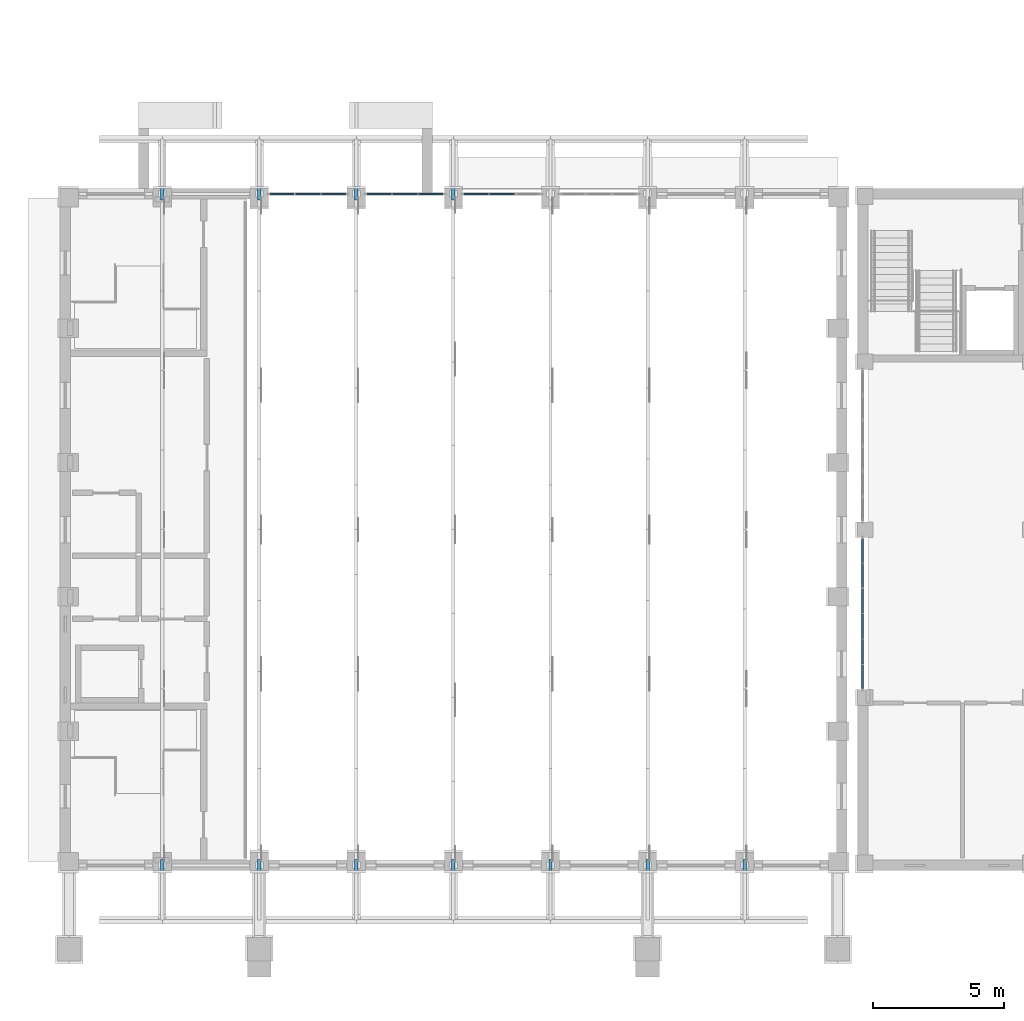
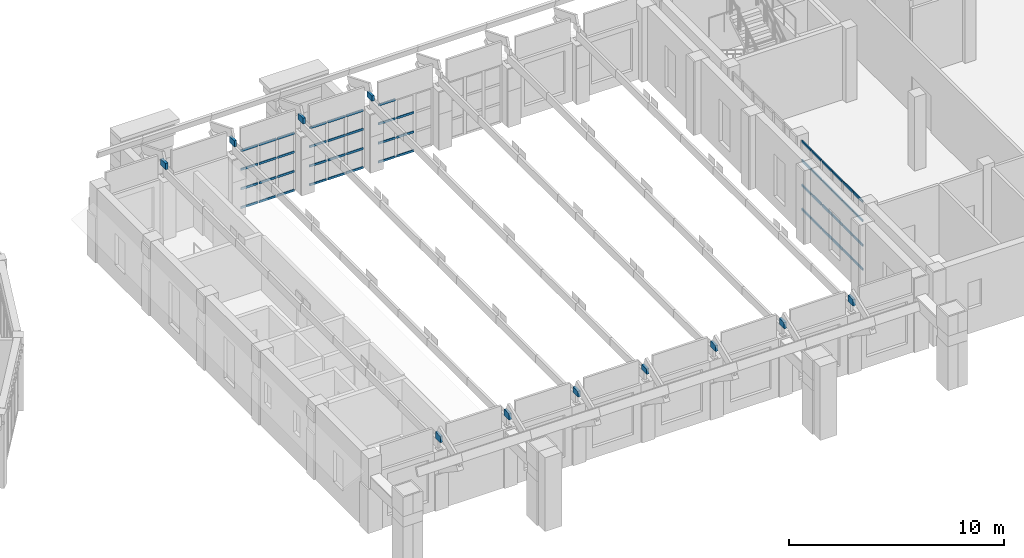
# One storey, part 33 of 99: 66 members, 4 elements without a shape of their own.
"""IFC4 building model written with IfcOpenShell, lengths in metres."""

from ifc_helpers import new_model, si_unit, direction, frame, origin, origin_2d, place, context, subcontext, project, spatial, rectangle, extrude, material, layer, layer_set, material_profile, profile_set, type_object, element, aggregate, save


model = new_model("IFC4")

# Units and contexts
model_context = context("Model", 3, precision=1e-05, world=origin(), true_north=direction((0.0, 1.0)))
body_context = subcontext(model_context, "Body", "Model", "MODEL_VIEW")
ifc_project = project(units=[si_unit("LENGTHUNIT", "METRE"), si_unit("AREAUNIT", "SQUARE_METRE"), si_unit("VOLUMEUNIT", "CUBIC_METRE"), si_unit("PLANEANGLEUNIT", "RADIAN"), si_unit("MASSUNIT", "GRAM", prefix="KILO")], contexts=[model_context])

# Site, building, storey
site_placement = place(None, origin())
site = spatial("IfcSite", under=ifc_project, at=site_placement, CompositionType="ELEMENT")
building_placement = place(site_placement, origin())
building = spatial("IfcBuilding", under=site, at=building_placement, Name="Wasatch Bagh Community Centre", CompositionType="ELEMENT")
storey_placement = place(building_placement, frame((0.0, 0.0, 4.199951171875)))
storey = spatial("IfcBuildingStorey", under=building, at=storey_placement, Name="L01", CompositionType="ELEMENT", Elevation=4.199951171875)

# Members
ifc_material_1 = material(Name="Glulam 24F-V4 Douglas fir-larch", Category="wood")
ifc_material_profile_1 = material_profile(ifc_material_1, rectangle(XDim=0.130126953125, YDim=0.457275390625, at=origin_2d()), Name="GL 130x457")
ifc_profile_set_1 = profile_set([ifc_material_profile_1], Name="Glulam 24F-V4 Douglas fir-larch")
member_type_1 = type_object("IfcMemberType", Name="DH GL 130x457 post", PredefinedType="POST", material=ifc_profile_set_1)
for number, where, z_axis, x_axis, name in (
    (1, (69.89990234375, 6.199951171875, 3.77734375), (0.0, 0.0, 1.0), (1.0, 0.0, 0.0), "DH.TH1.PS01"),
    (2, (69.89990234375, 31.800048828125, 3.77734375), (0.0, 0.0, 1.0), (1.0, 0.0, 0.0), "DH.TH1.PS09"),
):
    element("IfcMember", number, at=place(storey_placement, frame(where, z_axis=z_axis, x_axis=x_axis)), inside=storey, type_object=member_type_1, Name=name, PredefinedType="POST", context=body_context, shape_type="SweptSolid", body=[
        extrude(rectangle(XDim=0.130126953125, YDim=0.457275390625, at=origin_2d()), origin(), (0.0, 0.0, 1.0), 0.359375),
    ])
for number, where, z_axis, x_axis, name in (
    (3, (73.60009765625, 6.199951171875, 3.77734375), (0.0, 0.0, 1.0), (1.0, 0.0, 0.0), "DH.TH2.PS01"),
    (4, (73.60009765625, 31.800048828125, 3.77734375), (0.0, 0.0, 1.0), (1.0, 0.0, 0.0), "DH.TH2.PS09"),
):
    element("IfcMember", number, at=place(storey_placement, frame(where, z_axis=z_axis, x_axis=x_axis)), inside=storey, type_object=member_type_1, Name=name, PredefinedType="POST", context=body_context, shape_type="SweptSolid", body=[
        extrude(rectangle(XDim=0.130126953125, YDim=0.457275390625, at=origin_2d()), origin(), (0.0, 0.0, 1.0), 0.345703125),
    ])
for number, where, z_axis, x_axis, name in (
    (5, (77.300048828125, 6.199951171875, 3.77734375), (0.0, 0.0, 1.0), (1.0, 0.0, 0.0), "DH.TH3.PS01"),
    (6, (77.300048828125, 31.800048828125, 3.77734375), (0.0, 0.0, 1.0), (1.0, 0.0, 0.0), "DH.TH3.PS09"),
):
    element("IfcMember", number, at=place(storey_placement, frame(where, z_axis=z_axis, x_axis=x_axis)), inside=storey, type_object=member_type_1, Name=name, PredefinedType="POST", context=body_context, shape_type="SweptSolid", body=[
        extrude(rectangle(XDim=0.130126953125, YDim=0.457275390625, at=origin_2d()), origin(), (0.0, 0.0, 1.0), 0.33203125),
    ])
for number, where, z_axis, x_axis, name in (
    (7, (81.0, 6.199951171875, 3.77734375), (0.0, 0.0, 1.0), (1.0, 0.0, 0.0), "DH.TH4.PS01"),
    (8, (81.0, 31.800048828125, 3.77734375), (0.0, 0.0, 1.0), (1.0, 0.0, 0.0), "DH.TH4.PS09"),
):
    element("IfcMember", number, at=place(storey_placement, frame(where, z_axis=z_axis, x_axis=x_axis)), inside=storey, type_object=member_type_1, Name=name, PredefinedType="POST", context=body_context, shape_type="SweptSolid", body=[
        extrude(rectangle(XDim=0.130126953125, YDim=0.457275390625, at=origin_2d()), origin(), (0.0, 0.0, 1.0), 0.30517578125),
    ])
member_1_placement = place(storey_placement, frame((84.699951171875, 6.199951171875, 3.77734375), z_axis=(0.0, 0.0, 1.0), x_axis=(1.0, 0.0, 0.0)))
element("IfcMember", 9, at=member_1_placement, inside=storey, type_object=member_type_1, Name="DH.TH5.PS01", PredefinedType="POST", context=body_context, shape_type="SweptSolid", body=[
    extrude(rectangle(XDim=0.130126953125, YDim=0.457275390625, at=origin_2d()), origin(), (0.0, 0.0, 1.0), 0.33203125),
])
member_2_placement = place(storey_placement, frame((88.39990234375, 6.199951171875, 3.77734375), z_axis=(0.0, 0.0, 1.0), x_axis=(1.0, 0.0, 0.0)))
element("IfcMember", 10, at=member_2_placement, inside=storey, type_object=member_type_1, Name="DH.TH6.PS01", PredefinedType="POST", context=body_context, shape_type="SweptSolid", body=[
    extrude(rectangle(XDim=0.130126953125, YDim=0.457275390625, at=origin_2d()), origin(), (0.0, 0.0, 1.0), 0.345703125),
])
member_3_placement = place(storey_placement, frame((92.10009765625, 6.199951171875, 3.77734375), z_axis=(0.0, 0.0, 1.0), x_axis=(1.0, 0.0, 0.0)))
element("IfcMember", 11, at=member_3_placement, inside=storey, type_object=member_type_1, Name="DH.TH7.PS01", PredefinedType="POST", context=body_context, shape_type="SweptSolid", body=[
    extrude(rectangle(XDim=0.130126953125, YDim=0.457275390625, at=origin_2d()), origin(), (0.0, 0.0, 1.0), 0.359375),
])

# Curtain wall, members
ifc_material_2 = material(Name="Aluminium alloy 6063-T6", Category="aluminium")
ifc_layer_1 = layer(ifc_material_2, 0.10009765625)
ifc_layer_set_1 = layer_set([ifc_layer_1], Name="Aluminium alloy 6063-T6")
curtain_wall_type_1 = type_object("IfcCurtainWallType", Name="DH-CW2", PredefinedType="NOTDEFINED", material=ifc_layer_set_1)
curtain_wall_1_placement = place(storey_placement, origin())
curtain_wall_1 = element("IfcCurtainWall", 12, at=curtain_wall_1_placement, inside=storey, type_object=curtain_wall_type_1, Name="Curtain wall DH-CW2", PredefinedType="NOTDEFINED")
ifc_material_profile_2 = material_profile(ifc_material_2, rectangle(XDim=0.06005859375, YDim=0.1201171875, at=origin_2d()), Name="AL 60x120")
ifc_profile_set_2 = profile_set([ifc_material_profile_2], Name="Aluminium alloy 6063-T6")
member_type_2 = type_object("IfcMemberType", Name="DH-CW2 transom", PredefinedType="USERDEFINED", material=ifc_profile_set_2)
member_4_placement = place(storey_placement, frame((77.7099609375, 31.800048828125, 0.030029296875), z_axis=(1.0, 0.0, 0.0), x_axis=(0.0, 1.0, 0.0)))
member_4 = element("IfcMember", 13, at=member_4_placement, type_object=member_type_2, Name="DH-CW2 transom 1.1", ObjectType="TRANSOM", PredefinedType="USERDEFINED", context=body_context, shape_type="SweptSolid", body=[
    extrude(rectangle(XDim=0.06005859375, YDim=0.1201171875, at=origin_2d()), origin(), (0.0, 0.0, 1.0), 0.91015625),
])
member_5_placement = place(storey_placement, frame((77.7099609375, 31.800048828125, 1.10009765625), z_axis=(1.0, 0.0, 0.0), x_axis=(0.0, 1.0, 0.0)))
member_5 = element("IfcMember", 14, at=member_5_placement, type_object=member_type_2, Name="DH-CW2 transom 1.2", ObjectType="TRANSOM", PredefinedType="USERDEFINED", context=body_context, shape_type="SweptSolid", body=[
    extrude(rectangle(XDim=0.06005859375, YDim=0.1201171875, at=origin_2d()), origin(), (0.0, 0.0, 1.0), 0.91015625),
])
member_6_placement = place(storey_placement, frame((77.7099609375, 31.800048828125, 2.199951171875), z_axis=(1.0, 0.0, 0.0), x_axis=(0.0, 1.0, 0.0)))
member_6 = element("IfcMember", 15, at=member_6_placement, type_object=member_type_2, Name="DH-CW2 transom 1.3", ObjectType="TRANSOM", PredefinedType="USERDEFINED", context=body_context, shape_type="SweptSolid", body=[
    extrude(rectangle(XDim=0.06005859375, YDim=0.1201171875, at=origin_2d()), origin(), (0.0, 0.0, 1.0), 0.91015625),
])
member_7_placement = place(storey_placement, frame((77.7099609375, 31.800048828125, 3.27001953125), z_axis=(1.0, 0.0, 0.0), x_axis=(0.0, 1.0, 0.0)))
member_7 = element("IfcMember", 16, at=member_7_placement, type_object=member_type_2, Name="DH-CW2 transom 1.4", ObjectType="TRANSOM", PredefinedType="USERDEFINED", context=body_context, shape_type="SweptSolid", body=[
    extrude(rectangle(XDim=0.06005859375, YDim=0.1201171875, at=origin_2d()), origin(), (0.0, 0.0, 1.0), 0.91015625),
])
member_8_placement = place(storey_placement, frame((78.679931640625, 31.800048828125, 0.030029296875), z_axis=(1.0, 0.0, 0.0), x_axis=(0.0, 1.0, 0.0)))
member_8 = element("IfcMember", 17, at=member_8_placement, type_object=member_type_2, Name="DH-CW2 transom 2.1", ObjectType="TRANSOM", PredefinedType="USERDEFINED", context=body_context, shape_type="SweptSolid", body=[
    extrude(rectangle(XDim=0.06005859375, YDim=0.1201171875, at=origin_2d()), origin(), (0.0, 0.0, 1.0), 0.940185546875),
])
member_9_placement = place(storey_placement, frame((78.679931640625, 31.800048828125, 1.10009765625), z_axis=(1.0, 0.0, 0.0), x_axis=(0.0, 1.0, 0.0)))
member_9 = element("IfcMember", 18, at=member_9_placement, type_object=member_type_2, Name="DH-CW2 transom 2.2", ObjectType="TRANSOM", PredefinedType="USERDEFINED", context=body_context, shape_type="SweptSolid", body=[
    extrude(rectangle(XDim=0.06005859375, YDim=0.1201171875, at=origin_2d()), origin(), (0.0, 0.0, 1.0), 0.940185546875),
])
member_10_placement = place(storey_placement, frame((78.679931640625, 31.800048828125, 2.199951171875), z_axis=(1.0, 0.0, 0.0), x_axis=(0.0, 1.0, 0.0)))
member_10 = element("IfcMember", 19, at=member_10_placement, type_object=member_type_2, Name="DH-CW2 transom 2.3", ObjectType="TRANSOM", PredefinedType="USERDEFINED", context=body_context, shape_type="SweptSolid", body=[
    extrude(rectangle(XDim=0.06005859375, YDim=0.1201171875, at=origin_2d()), origin(), (0.0, 0.0, 1.0), 0.940185546875),
])
member_11_placement = place(storey_placement, frame((78.679931640625, 31.800048828125, 3.27001953125), z_axis=(1.0, 0.0, 0.0), x_axis=(0.0, 1.0, 0.0)))
member_11 = element("IfcMember", 20, at=member_11_placement, type_object=member_type_2, Name="DH-CW2 transom 2.4", ObjectType="TRANSOM", PredefinedType="USERDEFINED", context=body_context, shape_type="SweptSolid", body=[
    extrude(rectangle(XDim=0.06005859375, YDim=0.1201171875, at=origin_2d()), origin(), (0.0, 0.0, 1.0), 0.940185546875),
])
member_12_placement = place(storey_placement, frame((79.679931640625, 31.800048828125, 0.030029296875), z_axis=(1.0, 0.0, 0.0), x_axis=(0.0, 1.0, 0.0)))
member_12 = element("IfcMember", 21, at=member_12_placement, type_object=member_type_2, Name="DH-CW2 transom 3.1", ObjectType="TRANSOM", PredefinedType="USERDEFINED", context=body_context, shape_type="SweptSolid", body=[
    extrude(rectangle(XDim=0.06005859375, YDim=0.1201171875, at=origin_2d()), origin(), (0.0, 0.0, 1.0), 0.91015625),
])
member_13_placement = place(storey_placement, frame((79.679931640625, 31.800048828125, 1.10009765625), z_axis=(1.0, 0.0, 0.0), x_axis=(0.0, 1.0, 0.0)))
member_13 = element("IfcMember", 22, at=member_13_placement, type_object=member_type_2, Name="DH-CW2 transom 3.2", ObjectType="TRANSOM", PredefinedType="USERDEFINED", context=body_context, shape_type="SweptSolid", body=[
    extrude(rectangle(XDim=0.06005859375, YDim=0.1201171875, at=origin_2d()), origin(), (0.0, 0.0, 1.0), 0.91015625),
])
member_14_placement = place(storey_placement, frame((79.679931640625, 31.800048828125, 2.199951171875), z_axis=(1.0, 0.0, 0.0), x_axis=(0.0, 1.0, 0.0)))
member_14 = element("IfcMember", 23, at=member_14_placement, type_object=member_type_2, Name="DH-CW2 transom 3.3", ObjectType="TRANSOM", PredefinedType="USERDEFINED", context=body_context, shape_type="SweptSolid", body=[
    extrude(rectangle(XDim=0.06005859375, YDim=0.1201171875, at=origin_2d()), origin(), (0.0, 0.0, 1.0), 0.91015625),
])
member_15_placement = place(storey_placement, frame((79.679931640625, 31.800048828125, 3.27001953125), z_axis=(1.0, 0.0, 0.0), x_axis=(0.0, 1.0, 0.0)))
member_15 = element("IfcMember", 24, at=member_15_placement, type_object=member_type_2, Name="DH-CW2 transom 3.4", ObjectType="TRANSOM", PredefinedType="USERDEFINED", context=body_context, shape_type="SweptSolid", body=[
    extrude(rectangle(XDim=0.06005859375, YDim=0.1201171875, at=origin_2d()), origin(), (0.0, 0.0, 1.0), 0.91015625),
])
aggregate(curtain_wall_1, [member_4, member_5, member_6, member_7, member_8, member_9, member_10, member_11, member_12, member_13, member_14, member_15])

curtain_wall_2_placement = place(storey_placement, origin())
curtain_wall_2 = element("IfcCurtainWall", 25, at=curtain_wall_2_placement, inside=storey, type_object=curtain_wall_type_1, Name="Curtain wall DH-CW2", PredefinedType="NOTDEFINED")
member_16_placement = place(storey_placement, frame((81.409912109375, 31.800048828125, 0.030029296875), z_axis=(1.0, 0.0, 0.0), x_axis=(0.0, 1.0, 0.0)))
member_16 = element("IfcMember", 26, at=member_16_placement, type_object=member_type_2, Name="DH-CW2 transom 1.1", ObjectType="TRANSOM", PredefinedType="USERDEFINED", context=body_context, shape_type="SweptSolid", body=[
    extrude(rectangle(XDim=0.06005859375, YDim=0.1201171875, at=origin_2d()), origin(), (0.0, 0.0, 1.0), 0.91015625),
])
member_17_placement = place(storey_placement, frame((81.409912109375, 31.800048828125, 1.10009765625), z_axis=(1.0, 0.0, 0.0), x_axis=(0.0, 1.0, 0.0)))
member_17 = element("IfcMember", 27, at=member_17_placement, type_object=member_type_2, Name="DH-CW2 transom 1.2", ObjectType="TRANSOM", PredefinedType="USERDEFINED", context=body_context, shape_type="SweptSolid", body=[
    extrude(rectangle(XDim=0.06005859375, YDim=0.1201171875, at=origin_2d()), origin(), (0.0, 0.0, 1.0), 0.91015625),
])
member_18_placement = place(storey_placement, frame((81.409912109375, 31.800048828125, 2.199951171875), z_axis=(1.0, 0.0, 0.0), x_axis=(0.0, 1.0, 0.0)))
member_18 = element("IfcMember", 28, at=member_18_placement, type_object=member_type_2, Name="DH-CW2 transom 1.3", ObjectType="TRANSOM", PredefinedType="USERDEFINED", context=body_context, shape_type="SweptSolid", body=[
    extrude(rectangle(XDim=0.06005859375, YDim=0.1201171875, at=origin_2d()), origin(), (0.0, 0.0, 1.0), 0.91015625),
])
member_19_placement = place(storey_placement, frame((81.409912109375, 31.800048828125, 3.27001953125), z_axis=(1.0, 0.0, 0.0), x_axis=(0.0, 1.0, 0.0)))
member_19 = element("IfcMember", 29, at=member_19_placement, type_object=member_type_2, Name="DH-CW2 transom 1.4", ObjectType="TRANSOM", PredefinedType="USERDEFINED", context=body_context, shape_type="SweptSolid", body=[
    extrude(rectangle(XDim=0.06005859375, YDim=0.1201171875, at=origin_2d()), origin(), (0.0, 0.0, 1.0), 0.91015625),
])
member_20_placement = place(storey_placement, frame((82.3798828125, 31.800048828125, 0.030029296875), z_axis=(1.0, 0.0, 0.0), x_axis=(0.0, 1.0, 0.0)))
member_20 = element("IfcMember", 30, at=member_20_placement, type_object=member_type_2, Name="DH-CW2 transom 2.1", ObjectType="TRANSOM", PredefinedType="USERDEFINED", context=body_context, shape_type="SweptSolid", body=[
    extrude(rectangle(XDim=0.06005859375, YDim=0.1201171875, at=origin_2d()), origin(), (0.0, 0.0, 1.0), 0.940185546875),
])
member_21_placement = place(storey_placement, frame((82.3798828125, 31.800048828125, 1.10009765625), z_axis=(1.0, 0.0, 0.0), x_axis=(0.0, 1.0, 0.0)))
member_21 = element("IfcMember", 31, at=member_21_placement, type_object=member_type_2, Name="DH-CW2 transom 2.2", ObjectType="TRANSOM", PredefinedType="USERDEFINED", context=body_context, shape_type="SweptSolid", body=[
    extrude(rectangle(XDim=0.06005859375, YDim=0.1201171875, at=origin_2d()), origin(), (0.0, 0.0, 1.0), 0.940185546875),
])
member_22_placement = place(storey_placement, frame((82.3798828125, 31.800048828125, 2.199951171875), z_axis=(1.0, 0.0, 0.0), x_axis=(0.0, 1.0, 0.0)))
member_22 = element("IfcMember", 32, at=member_22_placement, type_object=member_type_2, Name="DH-CW2 transom 2.3", ObjectType="TRANSOM", PredefinedType="USERDEFINED", context=body_context, shape_type="SweptSolid", body=[
    extrude(rectangle(XDim=0.06005859375, YDim=0.1201171875, at=origin_2d()), origin(), (0.0, 0.0, 1.0), 0.940185546875),
])
aggregate(curtain_wall_2, [member_16, member_17, member_18, member_19, member_20, member_21, member_22])

ifc_layer_2 = layer(ifc_material_2, 0.10009765625)
ifc_layer_set_2 = layer_set([ifc_layer_2], Name="Aluminium alloy 6063-T6")
curtain_wall_type_2 = type_object("IfcCurtainWallType", Name="DH-CW3", PredefinedType="NOTDEFINED", material=ifc_layer_set_2)
curtain_wall_3_placement = place(storey_placement, origin())
curtain_wall_3 = element("IfcCurtainWall", 33, at=curtain_wall_3_placement, inside=storey, type_object=curtain_wall_type_2, Name="Curtain wall DH-CW3", PredefinedType="NOTDEFINED")
ifc_material_profile_3 = material_profile(ifc_material_2, rectangle(XDim=0.06005859375, YDim=0.1201171875, at=origin_2d()), Name="AL 60x120")
ifc_profile_set_3 = profile_set([ifc_material_profile_3], Name="Aluminium alloy 6063-T6")
member_type_3 = type_object("IfcMemberType", Name="DH-CW3 transom", PredefinedType="USERDEFINED", material=ifc_profile_set_3)
member_23_placement = place(storey_placement, frame((74.010009765625, 31.800048828125, 0.030029296875), z_axis=(1.0, 0.0, 0.0), x_axis=(0.0, 1.0, 0.0)))
member_23 = element("IfcMember", 34, at=member_23_placement, type_object=member_type_3, Name="DH-CW3 transom 1.1", ObjectType="TRANSOM", PredefinedType="USERDEFINED", context=body_context, shape_type="SweptSolid", body=[
    extrude(rectangle(XDim=0.06005859375, YDim=0.1201171875, at=origin_2d()), origin(), (0.0, 0.0, 1.0), 0.909912109375),
])
member_24_placement = place(storey_placement, frame((74.010009765625, 31.800048828125, 1.10009765625), z_axis=(1.0, 0.0, 0.0), x_axis=(0.0, 1.0, 0.0)))
member_24 = element("IfcMember", 35, at=member_24_placement, type_object=member_type_3, Name="DH-CW3 transom 1.2", ObjectType="TRANSOM", PredefinedType="USERDEFINED", context=body_context, shape_type="SweptSolid", body=[
    extrude(rectangle(XDim=0.06005859375, YDim=0.1201171875, at=origin_2d()), origin(), (0.0, 0.0, 1.0), 0.909912109375),
])
member_25_placement = place(storey_placement, frame((74.010009765625, 31.800048828125, 2.199951171875), z_axis=(1.0, 0.0, 0.0), x_axis=(0.0, 1.0, 0.0)))
member_25 = element("IfcMember", 36, at=member_25_placement, type_object=member_type_3, Name="DH-CW3 transom 1.3", ObjectType="TRANSOM", PredefinedType="USERDEFINED", context=body_context, shape_type="SweptSolid", body=[
    extrude(rectangle(XDim=0.06005859375, YDim=0.1201171875, at=origin_2d()), origin(), (0.0, 0.0, 1.0), 0.909912109375),
])
member_26_placement = place(storey_placement, frame((74.010009765625, 31.800048828125, 3.27001953125), z_axis=(1.0, 0.0, 0.0), x_axis=(0.0, 1.0, 0.0)))
member_26 = element("IfcMember", 37, at=member_26_placement, type_object=member_type_3, Name="DH-CW3 transom 1.4", ObjectType="TRANSOM", PredefinedType="USERDEFINED", context=body_context, shape_type="SweptSolid", body=[
    extrude(rectangle(XDim=0.06005859375, YDim=0.1201171875, at=origin_2d()), origin(), (0.0, 0.0, 1.0), 0.909912109375),
])
member_27_placement = place(storey_placement, frame((74.97998046875, 31.800048828125, 0.030029296875), z_axis=(1.0, 0.0, 0.0), x_axis=(0.0, 1.0, 0.0)))
member_27 = element("IfcMember", 38, at=member_27_placement, type_object=member_type_3, Name="DH-CW3 transom 2.1", ObjectType="TRANSOM", PredefinedType="USERDEFINED", context=body_context, shape_type="SweptSolid", body=[
    extrude(rectangle(XDim=0.06005859375, YDim=0.1201171875, at=origin_2d()), origin(), (0.0, 0.0, 1.0), 0.93994140625),
])
member_28_placement = place(storey_placement, frame((74.97998046875, 31.800048828125, 1.10009765625), z_axis=(1.0, 0.0, 0.0), x_axis=(0.0, 1.0, 0.0)))
member_28 = element("IfcMember", 39, at=member_28_placement, type_object=member_type_3, Name="DH-CW3 transom 2.2", ObjectType="TRANSOM", PredefinedType="USERDEFINED", context=body_context, shape_type="SweptSolid", body=[
    extrude(rectangle(XDim=0.06005859375, YDim=0.1201171875, at=origin_2d()), origin(), (0.0, 0.0, 1.0), 0.93994140625),
])
member_29_placement = place(storey_placement, frame((74.97998046875, 31.800048828125, 2.199951171875), z_axis=(1.0, 0.0, 0.0), x_axis=(0.0, 1.0, 0.0)))
member_29 = element("IfcMember", 40, at=member_29_placement, type_object=member_type_3, Name="DH-CW3 transom 2.3", ObjectType="TRANSOM", PredefinedType="USERDEFINED", context=body_context, shape_type="SweptSolid", body=[
    extrude(rectangle(XDim=0.06005859375, YDim=0.1201171875, at=origin_2d()), origin(), (0.0, 0.0, 1.0), 0.93994140625),
])
member_30_placement = place(storey_placement, frame((74.97998046875, 31.800048828125, 3.27001953125), z_axis=(1.0, 0.0, 0.0), x_axis=(0.0, 1.0, 0.0)))
member_30 = element("IfcMember", 41, at=member_30_placement, type_object=member_type_3, Name="DH-CW3 transom 2.4", ObjectType="TRANSOM", PredefinedType="USERDEFINED", context=body_context, shape_type="SweptSolid", body=[
    extrude(rectangle(XDim=0.06005859375, YDim=0.1201171875, at=origin_2d()), origin(), (0.0, 0.0, 1.0), 0.93994140625),
])
member_31_placement = place(storey_placement, frame((75.97998046875, 31.800048828125, 0.030029296875), z_axis=(1.0, 0.0, 0.0), x_axis=(0.0, 1.0, 0.0)))
member_31 = element("IfcMember", 42, at=member_31_placement, type_object=member_type_3, Name="DH-CW3 transom 3.1", ObjectType="TRANSOM", PredefinedType="USERDEFINED", context=body_context, shape_type="SweptSolid", body=[
    extrude(rectangle(XDim=0.06005859375, YDim=0.1201171875, at=origin_2d()), origin(), (0.0, 0.0, 1.0), 0.909912109375),
])
member_32_placement = place(storey_placement, frame((75.97998046875, 31.800048828125, 1.10009765625), z_axis=(1.0, 0.0, 0.0), x_axis=(0.0, 1.0, 0.0)))
member_32 = element("IfcMember", 43, at=member_32_placement, type_object=member_type_3, Name="DH-CW3 transom 3.2", ObjectType="TRANSOM", PredefinedType="USERDEFINED", context=body_context, shape_type="SweptSolid", body=[
    extrude(rectangle(XDim=0.06005859375, YDim=0.1201171875, at=origin_2d()), origin(), (0.0, 0.0, 1.0), 0.909912109375),
])
member_33_placement = place(storey_placement, frame((75.97998046875, 31.800048828125, 2.199951171875), z_axis=(1.0, 0.0, 0.0), x_axis=(0.0, 1.0, 0.0)))
member_33 = element("IfcMember", 44, at=member_33_placement, type_object=member_type_3, Name="DH-CW3 transom 3.3", ObjectType="TRANSOM", PredefinedType="USERDEFINED", context=body_context, shape_type="SweptSolid", body=[
    extrude(rectangle(XDim=0.06005859375, YDim=0.1201171875, at=origin_2d()), origin(), (0.0, 0.0, 1.0), 0.909912109375),
])
member_34_placement = place(storey_placement, frame((75.97998046875, 31.800048828125, 3.27001953125), z_axis=(1.0, 0.0, 0.0), x_axis=(0.0, 1.0, 0.0)))
member_34 = element("IfcMember", 45, at=member_34_placement, type_object=member_type_3, Name="DH-CW3 transom 3.4", ObjectType="TRANSOM", PredefinedType="USERDEFINED", context=body_context, shape_type="SweptSolid", body=[
    extrude(rectangle(XDim=0.06005859375, YDim=0.1201171875, at=origin_2d()), origin(), (0.0, 0.0, 1.0), 0.909912109375),
])
aggregate(curtain_wall_3, [member_23, member_24, member_25, member_26, member_27, member_28, member_29, member_30, member_31, member_32, member_33, member_34])

ifc_layer_3 = layer(ifc_material_2, 0.10009765625)
ifc_layer_set_3 = layer_set([ifc_layer_3], Name="Aluminium alloy 6063-T6")
curtain_wall_type_3 = type_object("IfcCurtainWallType", Name="KW-CW1", PredefinedType="NOTDEFINED", material=ifc_layer_set_3)
curtain_wall_4_placement = place(storey_placement, origin())
curtain_wall_4 = element("IfcCurtainWall", 46, at=curtain_wall_4_placement, inside=storey, type_object=curtain_wall_type_3, Name="Curtain wall KW-CW1", PredefinedType="NOTDEFINED")
ifc_material_profile_4 = material_profile(ifc_material_2, rectangle(XDim=0.06005859375, YDim=0.1201171875, at=origin_2d()), Name="AL 60x120")
ifc_profile_set_4 = profile_set([ifc_material_profile_4], Name="Aluminium alloy 6063-T6")
member_type_4 = type_object("IfcMemberType", Name="KW-CW1 transom", PredefinedType="USERDEFINED", material=ifc_profile_set_4)
member_35_placement = place(storey_placement, frame((96.60009765625, 12.9599609375, 0.030029296875), z_axis=(0.0, 1.0, 0.0), x_axis=(-1.0, 0.0, 0.0)))
member_35 = element("IfcMember", 47, at=member_35_placement, type_object=member_type_4, Name="KW-CW1 transom 1.1", ObjectType="TRANSOM", PredefinedType="USERDEFINED", context=body_context, shape_type="SweptSolid", body=[
    extrude(rectangle(XDim=0.06005859375, YDim=0.1201171875, at=origin_2d()), origin(), (0.0, 0.0, 1.0), 0.876708984375),
])
member_36_placement = place(storey_placement, frame((96.60009765625, 12.9599609375, 1.400146484375), z_axis=(0.0, 1.0, 0.0), x_axis=(-1.0, 0.0, 0.0)))
member_36 = element("IfcMember", 48, at=member_36_placement, type_object=member_type_4, Name="KW-CW1 transom 1.2", ObjectType="TRANSOM", PredefinedType="USERDEFINED", context=body_context, shape_type="SweptSolid", body=[
    extrude(rectangle(XDim=0.06005859375, YDim=0.1201171875, at=origin_2d()), origin(), (0.0, 0.0, 1.0), 0.876708984375),
])
member_37_placement = place(storey_placement, frame((96.60009765625, 12.9599609375, 2.800048828125), z_axis=(0.0, 1.0, 0.0), x_axis=(-1.0, 0.0, 0.0)))
member_37 = element("IfcMember", 49, at=member_37_placement, type_object=member_type_4, Name="KW-CW1 transom 1.3", ObjectType="TRANSOM", PredefinedType="USERDEFINED", context=body_context, shape_type="SweptSolid", body=[
    extrude(rectangle(XDim=0.06005859375, YDim=0.1201171875, at=origin_2d()), origin(), (0.0, 0.0, 1.0), 0.876708984375),
])
member_38_placement = place(storey_placement, frame((96.60009765625, 12.9599609375, 3.89013671875), z_axis=(0.0, 1.0, 0.0), x_axis=(-1.0, 0.0, 0.0)))
member_38 = element("IfcMember", 50, at=member_38_placement, type_object=member_type_4, Name="KW-CW1 transom 1.4", ObjectType="TRANSOM", PredefinedType="USERDEFINED", context=body_context, shape_type="SweptSolid", body=[
    extrude(rectangle(XDim=0.06005859375, YDim=0.1201171875, at=origin_2d()), origin(), (0.0, 0.0, 1.0), 0.876708984375),
])
member_39_placement = place(storey_placement, frame((96.60009765625, 13.896728515625, 0.030029296875), z_axis=(0.0, 1.0, 0.0), x_axis=(-1.0, 0.0, 0.0)))
member_39 = element("IfcMember", 51, at=member_39_placement, type_object=member_type_4, Name="KW-CW1 transom 2.1", ObjectType="TRANSOM", PredefinedType="USERDEFINED", context=body_context, shape_type="SweptSolid", body=[
    extrude(rectangle(XDim=0.06005859375, YDim=0.1201171875, at=origin_2d()), origin(), (0.0, 0.0, 1.0), 0.906494140625),
])
member_40_placement = place(storey_placement, frame((96.60009765625, 13.896728515625, 1.400146484375), z_axis=(0.0, 1.0, 0.0), x_axis=(-1.0, 0.0, 0.0)))
member_40 = element("IfcMember", 52, at=member_40_placement, type_object=member_type_4, Name="KW-CW1 transom 2.2", ObjectType="TRANSOM", PredefinedType="USERDEFINED", context=body_context, shape_type="SweptSolid", body=[
    extrude(rectangle(XDim=0.06005859375, YDim=0.1201171875, at=origin_2d()), origin(), (0.0, 0.0, 1.0), 0.906494140625),
])
member_41_placement = place(storey_placement, frame((96.60009765625, 13.896728515625, 2.800048828125), z_axis=(0.0, 1.0, 0.0), x_axis=(-1.0, 0.0, 0.0)))
member_41 = element("IfcMember", 53, at=member_41_placement, type_object=member_type_4, Name="KW-CW1 transom 2.3", ObjectType="TRANSOM", PredefinedType="USERDEFINED", context=body_context, shape_type="SweptSolid", body=[
    extrude(rectangle(XDim=0.06005859375, YDim=0.1201171875, at=origin_2d()), origin(), (0.0, 0.0, 1.0), 0.906494140625),
])
member_42_placement = place(storey_placement, frame((96.60009765625, 13.896728515625, 3.89013671875), z_axis=(0.0, 1.0, 0.0), x_axis=(-1.0, 0.0, 0.0)))
member_42 = element("IfcMember", 54, at=member_42_placement, type_object=member_type_4, Name="KW-CW1 transom 2.4", ObjectType="TRANSOM", PredefinedType="USERDEFINED", context=body_context, shape_type="SweptSolid", body=[
    extrude(rectangle(XDim=0.06005859375, YDim=0.1201171875, at=origin_2d()), origin(), (0.0, 0.0, 1.0), 0.906494140625),
])
member_43_placement = place(storey_placement, frame((96.60009765625, 14.86328125, 0.030029296875), z_axis=(0.0, 1.0, 0.0), x_axis=(-1.0, 0.0, 0.0)))
member_43 = element("IfcMember", 55, at=member_43_placement, type_object=member_type_4, Name="KW-CW1 transom 3.1", ObjectType="TRANSOM", PredefinedType="USERDEFINED", context=body_context, shape_type="SweptSolid", body=[
    extrude(rectangle(XDim=0.06005859375, YDim=0.1201171875, at=origin_2d()), origin(), (0.0, 0.0, 1.0), 0.90673828125),
])
member_44_placement = place(storey_placement, frame((96.60009765625, 14.86328125, 1.400146484375), z_axis=(0.0, 1.0, 0.0), x_axis=(-1.0, 0.0, 0.0)))
member_44 = element("IfcMember", 56, at=member_44_placement, type_object=member_type_4, Name="KW-CW1 transom 3.2", ObjectType="TRANSOM", PredefinedType="USERDEFINED", context=body_context, shape_type="SweptSolid", body=[
    extrude(rectangle(XDim=0.06005859375, YDim=0.1201171875, at=origin_2d()), origin(), (0.0, 0.0, 1.0), 0.90673828125),
])
member_45_placement = place(storey_placement, frame((96.60009765625, 14.86328125, 2.800048828125), z_axis=(0.0, 1.0, 0.0), x_axis=(-1.0, 0.0, 0.0)))
member_45 = element("IfcMember", 57, at=member_45_placement, type_object=member_type_4, Name="KW-CW1 transom 3.3", ObjectType="TRANSOM", PredefinedType="USERDEFINED", context=body_context, shape_type="SweptSolid", body=[
    extrude(rectangle(XDim=0.06005859375, YDim=0.1201171875, at=origin_2d()), origin(), (0.0, 0.0, 1.0), 0.90673828125),
])
member_46_placement = place(storey_placement, frame((96.60009765625, 14.86328125, 3.89013671875), z_axis=(0.0, 1.0, 0.0), x_axis=(-1.0, 0.0, 0.0)))
member_46 = element("IfcMember", 58, at=member_46_placement, type_object=member_type_4, Name="KW-CW1 transom 3.4", ObjectType="TRANSOM", PredefinedType="USERDEFINED", context=body_context, shape_type="SweptSolid", body=[
    extrude(rectangle(XDim=0.06005859375, YDim=0.1201171875, at=origin_2d()), origin(), (0.0, 0.0, 1.0), 0.90673828125),
])
member_47_placement = place(storey_placement, frame((96.60009765625, 15.830078125, 0.030029296875), z_axis=(0.0, 1.0, 0.0), x_axis=(-1.0, 0.0, 0.0)))
member_47 = element("IfcMember", 59, at=member_47_placement, type_object=member_type_4, Name="KW-CW1 transom 4.1", ObjectType="TRANSOM", PredefinedType="USERDEFINED", context=body_context, shape_type="SweptSolid", body=[
    extrude(rectangle(XDim=0.06005859375, YDim=0.1201171875, at=origin_2d()), origin(), (0.0, 0.0, 1.0), 0.906494140625),
])
member_48_placement = place(storey_placement, frame((96.60009765625, 15.830078125, 1.400146484375), z_axis=(0.0, 1.0, 0.0), x_axis=(-1.0, 0.0, 0.0)))
member_48 = element("IfcMember", 60, at=member_48_placement, type_object=member_type_4, Name="KW-CW1 transom 4.2", ObjectType="TRANSOM", PredefinedType="USERDEFINED", context=body_context, shape_type="SweptSolid", body=[
    extrude(rectangle(XDim=0.06005859375, YDim=0.1201171875, at=origin_2d()), origin(), (0.0, 0.0, 1.0), 0.906494140625),
])
member_49_placement = place(storey_placement, frame((96.60009765625, 15.830078125, 2.800048828125), z_axis=(0.0, 1.0, 0.0), x_axis=(-1.0, 0.0, 0.0)))
member_49 = element("IfcMember", 61, at=member_49_placement, type_object=member_type_4, Name="KW-CW1 transom 4.3", ObjectType="TRANSOM", PredefinedType="USERDEFINED", context=body_context, shape_type="SweptSolid", body=[
    extrude(rectangle(XDim=0.06005859375, YDim=0.1201171875, at=origin_2d()), origin(), (0.0, 0.0, 1.0), 0.906494140625),
])
member_50_placement = place(storey_placement, frame((96.60009765625, 15.830078125, 3.89013671875), z_axis=(0.0, 1.0, 0.0), x_axis=(-1.0, 0.0, 0.0)))
member_50 = element("IfcMember", 62, at=member_50_placement, type_object=member_type_4, Name="KW-CW1 transom 4.4", ObjectType="TRANSOM", PredefinedType="USERDEFINED", context=body_context, shape_type="SweptSolid", body=[
    extrude(rectangle(XDim=0.06005859375, YDim=0.1201171875, at=origin_2d()), origin(), (0.0, 0.0, 1.0), 0.906494140625),
])
member_51_placement = place(storey_placement, frame((96.60009765625, 16.796630859375, 0.030029296875), z_axis=(0.0, 1.0, 0.0), x_axis=(-1.0, 0.0, 0.0)))
member_51 = element("IfcMember", 63, at=member_51_placement, type_object=member_type_4, Name="KW-CW1 transom 5.1", ObjectType="TRANSOM", PredefinedType="USERDEFINED", context=body_context, shape_type="SweptSolid", body=[
    extrude(rectangle(XDim=0.06005859375, YDim=0.1201171875, at=origin_2d()), origin(), (0.0, 0.0, 1.0), 0.90673828125),
])
member_52_placement = place(storey_placement, frame((96.60009765625, 16.796630859375, 1.400146484375), z_axis=(0.0, 1.0, 0.0), x_axis=(-1.0, 0.0, 0.0)))
member_52 = element("IfcMember", 64, at=member_52_placement, type_object=member_type_4, Name="KW-CW1 transom 5.2", ObjectType="TRANSOM", PredefinedType="USERDEFINED", context=body_context, shape_type="SweptSolid", body=[
    extrude(rectangle(XDim=0.06005859375, YDim=0.1201171875, at=origin_2d()), origin(), (0.0, 0.0, 1.0), 0.90673828125),
])
member_53_placement = place(storey_placement, frame((96.60009765625, 16.796630859375, 2.800048828125), z_axis=(0.0, 1.0, 0.0), x_axis=(-1.0, 0.0, 0.0)))
member_53 = element("IfcMember", 65, at=member_53_placement, type_object=member_type_4, Name="KW-CW1 transom 5.3", ObjectType="TRANSOM", PredefinedType="USERDEFINED", context=body_context, shape_type="SweptSolid", body=[
    extrude(rectangle(XDim=0.06005859375, YDim=0.1201171875, at=origin_2d()), origin(), (0.0, 0.0, 1.0), 0.90673828125),
])
member_54_placement = place(storey_placement, frame((96.60009765625, 16.796630859375, 3.89013671875), z_axis=(0.0, 1.0, 0.0), x_axis=(-1.0, 0.0, 0.0)))
member_54 = element("IfcMember", 66, at=member_54_placement, type_object=member_type_4, Name="KW-CW1 transom 5.4", ObjectType="TRANSOM", PredefinedType="USERDEFINED", context=body_context, shape_type="SweptSolid", body=[
    extrude(rectangle(XDim=0.06005859375, YDim=0.1201171875, at=origin_2d()), origin(), (0.0, 0.0, 1.0), 0.90673828125),
])
member_55_placement = place(storey_placement, frame((96.60009765625, 17.763427734375, 0.030029296875), z_axis=(0.0, 1.0, 0.0), x_axis=(-1.0, 0.0, 0.0)))
member_55 = element("IfcMember", 67, at=member_55_placement, type_object=member_type_4, Name="KW-CW1 transom 6.1", ObjectType="TRANSOM", PredefinedType="USERDEFINED", context=body_context, shape_type="SweptSolid", body=[
    extrude(rectangle(XDim=0.06005859375, YDim=0.1201171875, at=origin_2d()), origin(), (0.0, 0.0, 1.0), 0.87646484375),
])
member_56_placement = place(storey_placement, frame((96.60009765625, 17.763427734375, 1.400146484375), z_axis=(0.0, 1.0, 0.0), x_axis=(-1.0, 0.0, 0.0)))
member_56 = element("IfcMember", 68, at=member_56_placement, type_object=member_type_4, Name="KW-CW1 transom 6.2", ObjectType="TRANSOM", PredefinedType="USERDEFINED", context=body_context, shape_type="SweptSolid", body=[
    extrude(rectangle(XDim=0.06005859375, YDim=0.1201171875, at=origin_2d()), origin(), (0.0, 0.0, 1.0), 0.87646484375),
])
member_57_placement = place(storey_placement, frame((96.60009765625, 17.763427734375, 2.800048828125), z_axis=(0.0, 1.0, 0.0), x_axis=(-1.0, 0.0, 0.0)))
member_57 = element("IfcMember", 69, at=member_57_placement, type_object=member_type_4, Name="KW-CW1 transom 6.3", ObjectType="TRANSOM", PredefinedType="USERDEFINED", context=body_context, shape_type="SweptSolid", body=[
    extrude(rectangle(XDim=0.06005859375, YDim=0.1201171875, at=origin_2d()), origin(), (0.0, 0.0, 1.0), 0.87646484375),
])
member_58_placement = place(storey_placement, frame((96.60009765625, 17.763427734375, 3.89013671875), z_axis=(0.0, 1.0, 0.0), x_axis=(-1.0, 0.0, 0.0)))
member_58 = element("IfcMember", 70, at=member_58_placement, type_object=member_type_4, Name="KW-CW1 transom 6.4", ObjectType="TRANSOM", PredefinedType="USERDEFINED", context=body_context, shape_type="SweptSolid", body=[
    extrude(rectangle(XDim=0.06005859375, YDim=0.1201171875, at=origin_2d()), origin(), (0.0, 0.0, 1.0), 0.87646484375),
])
aggregate(curtain_wall_4, [member_35, member_36, member_37, member_38, member_39, member_40, member_41, member_42, member_43, member_44, member_45, member_46, member_47, member_48, member_49, member_50, member_51, member_52, member_53, member_54, member_55, member_56, member_57, member_58])

save(model, "model.ifc")
